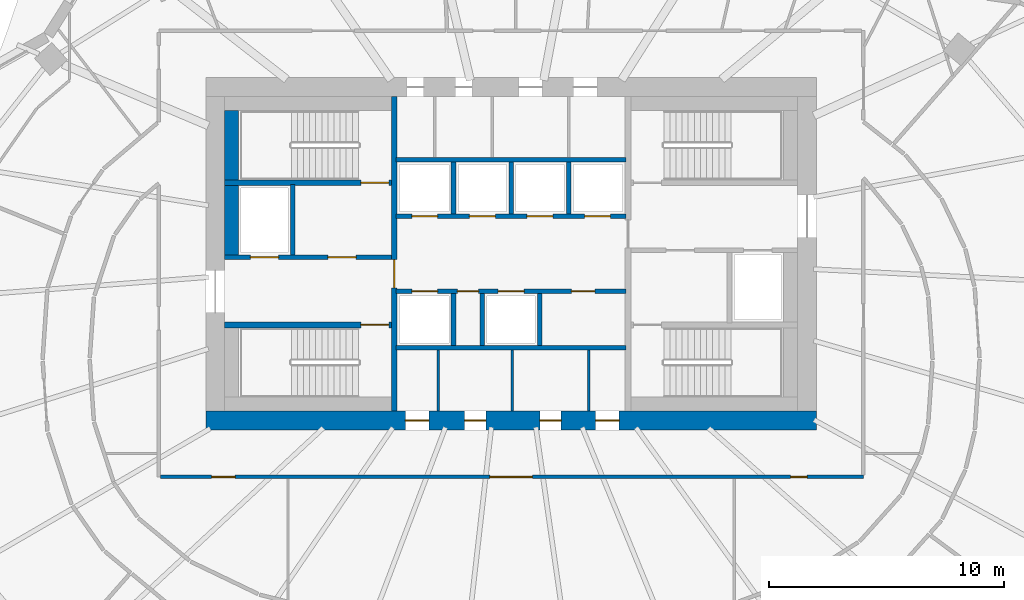
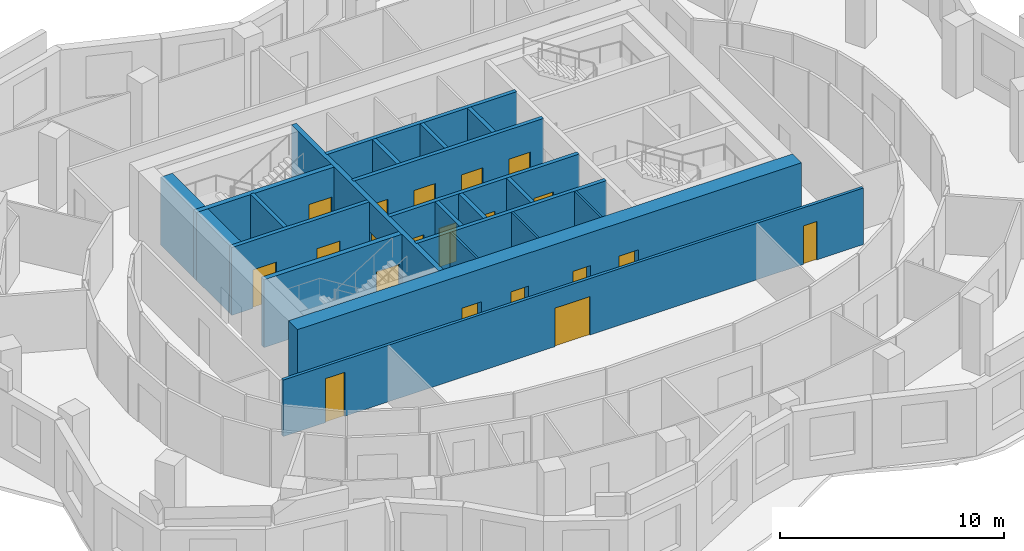
# One storey, part 5 of 11: 22 walls, 20 doors, 20 openings.
"""IFC4 building model written with IfcOpenShell, lengths in metres."""

import ifcopenshell
import ifcopenshell.guid

model = None  # the IFC model being written
_history = None  # IfcOwnerHistory: only IFC2X3 demands one
_inside = {}  # id of a spatial element -> (the spatial element, [elements in it])
_under = {}  # id of a project, library or spatial element -> (it, [spatial elements below it])
_declared = {}  # id of a project -> (the project, [libraries it declares])
_typed = {}  # id of a type object -> (the type object, [elements of that type])
_made_of = {}  # id of a material, layer set ... -> (it, [elements and type objects made of it])


def new_model(schema):
    """Start an empty IFC model of exactly this schema.

    Asked for "IFC4X3", IfcOpenShell would pick the latest addendum, in which some entities
    have other attributes; the version numbers below select the first issue.
    IFC2X3 requires an IfcOwnerHistory on every rooted entity: one is made here for all.
    """
    global model, _history
    if schema == "IFC4X3":
        model = ifcopenshell.file(schema_version=(4, 3, 0, 0))
    else:
        model = ifcopenshell.file(schema=schema)
    _inside.clear()
    _under.clear()
    _declared.clear()
    _typed.clear()
    _made_of.clear()
    _history = None
    if model.schema == "IFC2X3":
        org = make("IfcOrganization", Name="unknown")
        user = make(
            "IfcPersonAndOrganization",
            ThePerson=make("IfcPerson", FamilyName="unknown"),
            TheOrganization=org,
        )
        app = make(
            "IfcApplication",
            ApplicationDeveloper=org,
            Version="unknown",
            ApplicationFullName="unknown",
            ApplicationIdentifier="unknown",
        )
        _history = make(
            "IfcOwnerHistory",
            OwningUser=user,
            OwningApplication=app,
            ChangeAction="ADDED",
            CreationDate=0,
        )
    return model


def make(cls, **values):
    """One entity of the class cls with the attributes given. An attribute that is None is left unset."""
    return model.create_entity(
        cls, **{name: value for name, value in values.items() if value is not None}
    )


def rooted(cls, **values):
    """An entity with a GlobalId (a new one), such as an element, a storey or a relation."""
    return make(cls, GlobalId=ifcopenshell.guid.new(), OwnerHistory=_history, **values)


def si_unit(unit_type, name, prefix=None):
    """IfcSIUnit, for example si_unit("LENGTHUNIT", "METRE", prefix="MILLI")."""
    return make("IfcSIUnit", UnitType=unit_type, Prefix=prefix, Name=name)


def assignment(units):
    """IfcUnitAssignment: the units of a project."""
    return None if units is None else make("IfcUnitAssignment", Units=units)


def point(xyz):
    """IfcCartesianPoint."""
    return None if xyz is None else make("IfcCartesianPoint", Coordinates=xyz)


def direction(xyz):
    """IfcDirection."""
    return None if xyz is None else make("IfcDirection", DirectionRatios=xyz)


def frame(location, z_axis=None, x_axis=None):
    """IfcAxis2Placement3D, a coordinate frame: its origin and axes. An axis left out is left unset."""
    return make(
        "IfcAxis2Placement3D",
        Location=point(location),
        Axis=direction(z_axis),
        RefDirection=direction(x_axis),
    )


def frame_2d(location, x_axis=None):
    """IfcAxis2Placement2D, a coordinate frame in the plane: its origin and x axis."""
    return make(
        "IfcAxis2Placement2D", Location=point(location), RefDirection=direction(x_axis)
    )


def origin():
    """The frame at (0, 0, 0) with its axes left unset."""
    return frame((0.0, 0.0, 0.0))


def place(relative_to, where):
    """IfcLocalPlacement: puts the frame where relative to a parent placement (None: the world)."""
    return make(
        "IfcLocalPlacement", PlacementRelTo=relative_to, RelativePlacement=where
    )


def context(
    kind, dimensions, precision=None, world=None, true_north=None, identifier=None
):
    """IfcGeometricRepresentationContext, for example the 3D "Model" context."""
    return make(
        "IfcGeometricRepresentationContext",
        ContextIdentifier=identifier,
        ContextType=kind,
        CoordinateSpaceDimension=dimensions,
        Precision=precision,
        WorldCoordinateSystem=world,
        TrueNorth=true_north,
    )


def subcontext(parent, identifier, kind, view, scale=None):
    """IfcGeometricRepresentationSubContext, for example "Body" below "Model"."""
    return make(
        "IfcGeometricRepresentationSubContext",
        ContextIdentifier=identifier,
        ContextType=kind,
        ParentContext=parent,
        TargetScale=scale,
        TargetView=view,
    )


def project(units=None, contexts=None):
    """IfcProject with its units and contexts."""
    return rooted(
        "IfcProject",
        Name="project",
        RepresentationContexts=contexts,
        UnitsInContext=assignment(units),
    )


def spatial(cls, under=None, at=None, **own):
    """A site, building, storey or space (cls), placed at a placement, below another one or the project."""
    s = rooted(cls, ObjectPlacement=at, **own)
    if under is not None:
        _under.setdefault(under.id(), (under, []))[1].append(s)
    return s


def profile(cls, at=None, kind="AREA", **sizes):
    """A parametric profile (cls). Its sizes go by their IFC names, for example OverallWidth=200.0."""
    return make(cls, ProfileType=kind, Position=at, **sizes)


def rectangle(**sizes):
    """IfcRectangleProfileDef."""
    return profile("IfcRectangleProfileDef", **sizes)


def extrude(swept, where, along, depth):
    """IfcExtrudedAreaSolid: the profile swept, set in the frame where, extruded along a direction by depth."""
    return make(
        "IfcExtrudedAreaSolid",
        SweptArea=swept,
        Position=where,
        ExtrudedDirection=direction(along),
        Depth=depth,
    )


def shape(context_of_items, identifier, shape_type, items):
    """IfcShapeRepresentation: the items that make up one representation, for example the "Body"."""
    return make(
        "IfcShapeRepresentation",
        ContextOfItems=context_of_items,
        RepresentationIdentifier=identifier,
        RepresentationType=shape_type,
        Items=items,
    )


def material(Name=None, Category=None):
    """IfcMaterial."""
    return make("IfcMaterial", Name=Name, Category=Category)


def layer(
    of_material, thickness, ventilated=None, Name=None, Category=None, Priority=None
):
    """IfcMaterialLayer: one layer of a wall or slab, of a material (None: an air gap)."""
    return make(
        "IfcMaterialLayer",
        Material=of_material,
        LayerThickness=thickness,
        IsVentilated=ventilated,
        Name=Name,
        Category=Category,
        Priority=Priority,
    )


def layer_set(layers, Name=None):
    """IfcMaterialLayerSet."""
    return make("IfcMaterialLayerSet", MaterialLayers=layers, LayerSetName=Name)


def made_of(thing, what):
    """Note that an element or type object is made of a material, layer set ...; save() writes the relation."""
    if what is not None:
        _made_of.setdefault(what.id(), (what, []))[1].append(thing)
    return thing


def type_object(cls, material=None, **own):
    """A type object (cls), such as IfcWallType, which elements share."""
    return made_of(rooted(cls, **own), material)


def element(
    cls,
    number,
    at=None,
    inside=None,
    cuts=None,
    type_object=None,
    material=None,
    context=None,
    identifier="Body",
    shape_type=None,
    held_by="IfcProductDefinitionShape",
    body=None,
    shapes=None,
    **own,
):
    """One element of the class cls, such as IfcWall. Its Tag is "e" and its number.

    at: its placement. inside: the storey or other place that contains it. cuts: it is an
    opening in that element (IfcRelVoidsElement). A single representation is given by context,
    identifier, shape_type and body (its items); several are given by shapes. held_by: the class
    of the entity that holds the representations. save() writes the other relations.
    """
    e = rooted(cls, Tag="e%d" % number, ObjectPlacement=at, **own)
    if body is not None:
        shapes = [shape(context, identifier, shape_type, body)]
    if shapes is not None:
        e.Representation = make(held_by, Representations=shapes)
    if inside is not None:
        _inside.setdefault(inside.id(), (inside, []))[1].append(e)
    if cuts is not None:
        rooted(
            "IfcRelVoidsElement", RelatingBuildingElement=cuts, RelatedOpeningElement=e
        )
    if type_object is not None:
        _typed.setdefault(type_object.id(), (type_object, []))[1].append(e)
    return made_of(e, material)


def fill(opening, filler):
    """IfcRelFillsElement: the door or window that sits in an opening."""
    return rooted(
        "IfcRelFillsElement",
        RelatingOpeningElement=opening,
        RelatedBuildingElement=filler,
    )


def aggregate(whole, parts):
    """IfcRelAggregates: a whole, such as a stair, and the parts it consists of."""
    return rooted("IfcRelAggregates", RelatingObject=whole, RelatedObjects=parts)


def save(model, path):
    """Write the relations noted so far, then the file.

    IfcRelAggregates (storeys below a building ...), IfcRelContainedInSpatialStructure (elements
    in a storey), IfcRelDefinesByType, IfcRelAssociatesMaterial and IfcRelDeclares: one each for
    every whole, place, type object, material and project.
    """
    for whole, parts in _under.values():
        aggregate(whole, parts)
    for where, things in _inside.values():
        rooted(
            "IfcRelContainedInSpatialStructure",
            RelatedElements=things,
            RelatingStructure=where,
        )
    for kind, things in _typed.values():
        rooted("IfcRelDefinesByType", RelatedObjects=things, RelatingType=kind)
    for what, things in _made_of.values():
        rooted("IfcRelAssociatesMaterial", RelatedObjects=things, RelatingMaterial=what)
    for by, libraries in _declared.values():
        rooted("IfcRelDeclares", RelatingContext=by, RelatedDefinitions=libraries)
    model.write(path)


model = new_model("IFC4")

# Units and contexts
model_context = context("Model", 3, precision=1e-05, world=origin(), true_north=direction((0.0, 1.0)))
body_context = subcontext(model_context, "Body", "Model", "MODEL_VIEW")
ifc_project = project(units=[si_unit("LENGTHUNIT", "METRE"), si_unit("AREAUNIT", "SQUARE_METRE"), si_unit("VOLUMEUNIT", "CUBIC_METRE"), si_unit("PLANEANGLEUNIT", "RADIAN"), si_unit("MASSUNIT", "GRAM", prefix="KILO")], contexts=[model_context])

# Site, building, storey
site_placement = place(None, origin())
site = spatial("IfcSite", under=ifc_project, at=site_placement, CompositionType="ELEMENT")
building_placement = place(site_placement, origin())
building = spatial("IfcBuilding", under=site, at=building_placement, Name="Rubra Terraces Tower", CompositionType="ELEMENT")
storey_placement = place(building_placement, frame((0.0, 0.0, 237.0)))
storey = spatial("IfcBuildingStorey", under=building, at=storey_placement, Name="L58", CompositionType="ELEMENT", Elevation=237.0)

# Wall, openings, doors
ifc_material_1 = material(Name="Concrete C50", Category="concrete")
ifc_layer_1 = layer(ifc_material_1, 0.800048828125)
ifc_layer_set_1 = layer_set([ifc_layer_1], Name="Concrete C50")
wall_type_1 = type_object("IfcWallType", Name="CORE WALL 800 C50", PredefinedType="SHEAR", material=ifc_layer_set_1)
wall_1_placement = place(storey_placement, frame((-13.0, -2.60009765625, 0.0), z_axis=(0.0, 0.0, 1.0), x_axis=(1.0, 0.0, 0.0)))
wall_1 = element("IfcWall", 1, at=wall_1_placement, inside=storey, type_object=wall_type_1, Name="CORE WALL S L58", PredefinedType="SHEAR", context=body_context, shape_type="SweptSolid", body=[
    extrude(rectangle(XDim=26.0, YDim=0.800048828125, at=frame_2d((13.0, 0.0))), origin(), (0.0, 0.0, 1.0), 3.89990234375),
])
opening_1_placement = place(wall_1_placement, frame((8.5, 0.0, 0.0)))
opening_1 = element("IfcOpeningElement", 2, at=opening_1_placement, cuts=wall_1, Name="Opening L58.C21", PredefinedType="OPENING", context=body_context, shape_type="SweptSolid", body=[
    extrude(rectangle(XDim=1.0, YDim=2.10009765625, at=frame_2d((0.5, 1.050048828125))), frame((0.0, 0.409912109375, 0.0), z_axis=(0.0, -1.0, 0.0), x_axis=(1.0, 0.0, 0.0)), (0.0, 0.0, 1.0), 0.820068359375),
])
opening_2_placement = place(wall_1_placement, frame((11.02490234375, 0.0, 0.0)))
opening_2 = element("IfcOpeningElement", 3, at=opening_2_placement, cuts=wall_1, Name="Opening L58.C22", PredefinedType="OPENING", context=body_context, shape_type="SweptSolid", body=[
    extrude(rectangle(XDim=0.89990234375, YDim=2.10009765625, at=frame_2d((0.449951171875, 1.050048828125))), frame((0.0, 0.409912109375, 0.0), z_axis=(0.0, -1.0, 0.0), x_axis=(1.0, 0.0, 0.0)), (0.0, 0.0, 1.0), 0.820068359375),
])
opening_3_placement = place(wall_1_placement, frame((14.22509765625, 0.0, 0.0)))
opening_3 = element("IfcOpeningElement", 4, at=opening_3_placement, cuts=wall_1, Name="Opening L58.C23", PredefinedType="OPENING", context=body_context, shape_type="SweptSolid", body=[
    extrude(rectangle(XDim=0.89990234375, YDim=2.10009765625, at=frame_2d((0.449951171875, 1.050048828125))), frame((0.0, 0.409912109375, 0.0), z_axis=(0.0, -1.0, 0.0), x_axis=(1.0, 0.0, 0.0)), (0.0, 0.0, 1.0), 0.820068359375),
])
opening_4_placement = place(wall_1_placement, frame((16.60009765625, 0.0, 0.0)))
opening_4 = element("IfcOpeningElement", 5, at=opening_4_placement, cuts=wall_1, Name="Opening L58.C24", PredefinedType="OPENING", context=body_context, shape_type="SweptSolid", body=[
    extrude(rectangle(XDim=1.0, YDim=2.10009765625, at=frame_2d((0.5, 1.050048828125))), frame((0.0, 0.409912109375, 0.0), z_axis=(0.0, -1.0, 0.0), x_axis=(1.0, 0.0, 0.0)), (0.0, 0.0, 1.0), 0.820068359375),
])
ifc_material_2 = material(Name="Painted steel", Category="steel")
door_type_1 = type_object("IfcDoorType", Name="Fire door 1000x2100 single", OperationType="NOTDEFINED", PredefinedType="DOOR", material=ifc_material_2)
door_1_placement = place(opening_1_placement, origin())
door_1 = element("IfcDoor", 6, at=door_1_placement, inside=storey, type_object=door_type_1, Name="Accessible WC door", OperationType="SINGLE_SWING_LEFT", OverallHeight=2.10009765625, OverallWidth=1.0, PredefinedType="DOOR", context=body_context, shape_type="SweptSolid", body=[
    extrude(rectangle(XDim=1.0, YDim=2.10009765625, at=frame_2d((0.5, 1.050048828125))), frame((0.0, 0.02490234375, 0.0), z_axis=(0.0, -1.0, 0.0), x_axis=(1.0, 0.0, 0.0)), (0.0, 0.0, 1.0), 0.050048828125),
])
fill(opening_1, door_1)
door_2_placement = place(opening_4_placement, origin())
door_2 = element("IfcDoor", 7, at=door_2_placement, inside=storey, type_object=door_type_1, Name="General store door", OperationType="SINGLE_SWING_RIGHT", OverallHeight=2.10009765625, OverallWidth=1.0, PredefinedType="DOOR", context=body_context, shape_type="SweptSolid", body=[
    extrude(rectangle(XDim=1.0, YDim=2.10009765625, at=frame_2d((0.5, 1.050048828125))), frame((0.0, 0.02490234375, 0.0), z_axis=(0.0, -1.0, 0.0), x_axis=(1.0, 0.0, 0.0)), (0.0, 0.0, 1.0), 0.050048828125),
])
fill(opening_4, door_2)
door_type_2 = type_object("IfcDoorType", Name="Fire door 900x2100 single", OperationType="NOTDEFINED", PredefinedType="DOOR", material=ifc_material_2)
door_3_placement = place(opening_2_placement, origin())
door_3 = element("IfcDoor", 8, at=door_3_placement, inside=storey, type_object=door_type_2, Name="Ladies WC door", OperationType="SINGLE_SWING_RIGHT", OverallHeight=2.10009765625, OverallWidth=0.89990234375, PredefinedType="DOOR", context=body_context, shape_type="SweptSolid", body=[
    extrude(rectangle(XDim=0.89990234375, YDim=2.10009765625, at=frame_2d((0.449951171875, 1.050048828125))), frame((0.0, 0.02490234375, 0.0), z_axis=(0.0, -1.0, 0.0), x_axis=(1.0, 0.0, 0.0)), (0.0, 0.0, 1.0), 0.050048828125),
])
fill(opening_2, door_3)
door_4_placement = place(opening_3_placement, origin())
door_4 = element("IfcDoor", 9, at=door_4_placement, inside=storey, type_object=door_type_2, Name="Gents WC door", OperationType="SINGLE_SWING_LEFT", OverallHeight=2.10009765625, OverallWidth=0.89990234375, PredefinedType="DOOR", context=body_context, shape_type="SweptSolid", body=[
    extrude(rectangle(XDim=0.89990234375, YDim=2.10009765625, at=frame_2d((0.449951171875, 1.050048828125))), frame((0.0, 0.02490234375, 0.0), z_axis=(0.0, -1.0, 0.0), x_axis=(1.0, 0.0, 0.0)), (0.0, 0.0, 1.0), 0.050048828125),
])
fill(opening_3, door_4)

ifc_material_3 = material(Name="Plasterboard on steel stud, mineral wool infill", Category="steel")
ifc_layer_2 = layer(ifc_material_3, 0.14990234375)
ifc_layer_set_2 = layer_set([ifc_layer_2], Name="Plasterboard on steel stud, mineral wool infill")
wall_type_2 = type_object("IfcWallType", Name="CORRIDOR PARTITION 150", PredefinedType="PARTITIONING", material=ifc_layer_set_2)
wall_2_placement = place(storey_placement, frame((-14.925048828125, -5.0, 0.0), z_axis=(0.0, 0.0, 1.0), x_axis=(1.0, 0.0, 0.0)))
wall_2 = element("IfcWall", 10, at=wall_2_placement, inside=storey, type_object=wall_type_2, Name="PARTITION", PredefinedType="PARTITIONING", context=body_context, shape_type="SweptSolid", body=[
    extrude(rectangle(XDim=29.925048828125, YDim=0.14990234375, at=frame_2d((14.96240234375, 0.0))), origin(), (0.0, 0.0, 1.0), 3.083984375),
])
opening_5_placement = place(wall_2_placement, frame((2.175048828125, 0.0, 0.0)))
opening_5 = element("IfcOpeningElement", 11, at=opening_5_placement, cuts=wall_2, Name="Opening 58-120", PredefinedType="OPENING", context=body_context, shape_type="SweptSolid", body=[
    extrude(rectangle(XDim=1.0, YDim=2.39990234375, at=frame_2d((0.5, 1.199951171875))), frame((0.0, 0.0849609375, 0.0), z_axis=(0.0, -1.0, 0.0), x_axis=(1.0, 0.0, 0.0)), (0.0, 0.0, 1.0), 0.169921875),
])
opening_6_placement = place(wall_2_placement, frame((14.02490234375, 0.0, 0.0)))
opening_6 = element("IfcOpeningElement", 12, at=opening_6_placement, cuts=wall_2, Name="Opening 58-121", PredefinedType="OPENING", context=body_context, shape_type="SweptSolid", body=[
    extrude(rectangle(XDim=1.800048828125, YDim=2.10009765625, at=frame_2d((0.89990234375, 1.050048828125))), frame((0.0, 0.0849609375, 0.0), z_axis=(0.0, -1.0, 0.0), x_axis=(1.0, 0.0, 0.0)), (0.0, 0.0, 1.0), 0.169921875),
])
opening_7_placement = place(wall_2_placement, frame((26.824951171875, 0.0, 0.0)))
opening_7 = element("IfcOpeningElement", 13, at=opening_7_placement, cuts=wall_2, Name="Opening 58-122", PredefinedType="OPENING", context=body_context, shape_type="SweptSolid", body=[
    extrude(rectangle(XDim=0.699951171875, YDim=2.10009765625, at=frame_2d((0.35009765625, 1.050048828125))), frame((0.0, 0.0849609375, 0.0), z_axis=(0.0, -1.0, 0.0), x_axis=(1.0, 0.0, 0.0)), (0.0, 0.0, 1.0), 0.169921875),
])
ifc_material_4 = material(Name="Glazed aluminium meeting door leaf", Category="aluminium")
door_type_3 = type_object("IfcDoorType", Name="MEETING ROOM GLAZED DOOR 1000 X 2400", OperationType="SINGLE_SWING_LEFT", PredefinedType="DOOR", material=ifc_material_4)
door_5_placement = place(opening_5_placement, origin())
door_5 = element("IfcDoor", 14, at=door_5_placement, inside=storey, type_object=door_type_3, Name="DOOR 58-120", OperationType="SINGLE_SWING_RIGHT", OverallHeight=2.39990234375, OverallWidth=1.0, PredefinedType="DOOR", context=body_context, shape_type="SweptSolid", body=[
    extrude(rectangle(XDim=1.0, YDim=2.39990234375, at=frame_2d((0.5, 1.199951171875))), frame((0.0, 0.02490234375, 0.0), z_axis=(0.0, -1.0, 0.0), x_axis=(1.0, 0.0, 0.0)), (0.0, 0.0, 1.0), 0.050048828125),
])
fill(opening_5, door_5)
ifc_material_5 = material(Name="Painted timber door leaf, double", Category="wood")
door_type_4 = type_object("IfcDoorType", Name="ROOM DOUBLE DOOR 1800 X 2100", OperationType="DOUBLE_DOOR_SINGLE_SWING", PredefinedType="DOOR", material=ifc_material_5)
door_6_placement = place(opening_6_placement, origin())
door_6 = element("IfcDoor", 15, at=door_6_placement, inside=storey, type_object=door_type_4, Name="DOOR 58-121", OperationType="DOUBLE_DOOR_SINGLE_SWING", OverallHeight=2.10009765625, OverallWidth=1.800048828125, PredefinedType="DOOR", context=body_context, shape_type="SweptSolid", body=[
    extrude(rectangle(XDim=1.800048828125, YDim=2.10009765625, at=frame_2d((0.89990234375, 1.050048828125))), frame((0.0, 0.02490234375, 0.0), z_axis=(0.0, -1.0, 0.0), x_axis=(1.0, 0.0, 0.0)), (0.0, 0.0, 1.0), 0.050048828125),
])
fill(opening_6, door_6)
ifc_material_6 = material(Name="Painted timber door leaf", Category="wood")
door_type_5 = type_object("IfcDoorType", Name="STORE DOOR 700 X 2100", OperationType="SINGLE_SWING_LEFT", PredefinedType="DOOR", material=ifc_material_6)
door_7_placement = place(opening_7_placement, origin())
door_7 = element("IfcDoor", 16, at=door_7_placement, inside=storey, type_object=door_type_5, Name="DOOR 58-122", OperationType="SINGLE_SWING_RIGHT", OverallHeight=2.10009765625, OverallWidth=0.699951171875, PredefinedType="DOOR", context=body_context, shape_type="SweptSolid", body=[
    extrude(rectangle(XDim=0.699951171875, YDim=2.10009765625, at=frame_2d((0.35009765625, 1.050048828125))), frame((0.0, 0.02490234375, 0.0), z_axis=(0.0, -1.0, 0.0), x_axis=(1.0, 0.0, 0.0)), (0.0, 0.0, 1.0), 0.050048828125),
])
fill(opening_7, door_7)

# Walls
ifc_material_7 = material(Name="Concrete C40", Category="concrete")
ifc_layer_3 = layer(ifc_material_7, 0.60009765625)
ifc_layer_set_3 = layer_set([ifc_layer_3], Name="Concrete C40")
wall_type_3 = type_object("IfcWallType", Name="Core lining wall 600 concrete", PredefinedType="SOLIDWALL", material=ifc_layer_set_3)
wall_3_placement = place(storey_placement, frame((-11.89990234375, 4.449951171875, 0.0), z_axis=(0.0, 0.0, 1.0), x_axis=(0.0, 1.0, 0.0)))
element("IfcWall", 17, at=wall_3_placement, inside=storey, type_object=wall_type_3, Name="CORE LINING WALL L58", PredefinedType="SOLIDWALL", context=body_context, shape_type="SweptSolid", body=[
    extrude(rectangle(XDim=3.0, YDim=0.60009765625, at=frame_2d((1.5, 0.0))), origin(), (0.0, 0.0, 1.0), 3.699951171875),
])
wall_4_placement = place(storey_placement, frame((-11.89990234375, 7.64990234375, 0.0), z_axis=(0.0, 0.0, 1.0), x_axis=(0.0, 1.0, 0.0)))
element("IfcWall", 18, at=wall_4_placement, inside=storey, type_object=wall_type_3, Name="CORE LINING WALL L58", PredefinedType="SOLIDWALL", context=body_context, shape_type="SweptSolid", body=[
    extrude(rectangle(XDim=2.9501953125, YDim=0.60009765625, at=frame_2d((1.47509765625, 0.0))), origin(), (0.0, 0.0, 1.0), 3.699951171875),
])

# Wall, openings, doors
ifc_material_8 = material(Name="Concrete C30", Category="concrete")
ifc_layer_4 = layer(ifc_material_8, 0.199951171875)
ifc_layer_set_4 = layer_set([ifc_layer_4], Name="Concrete C30")
wall_type_4 = type_object("IfcWallType", Name="Core wall 200 concrete", PredefinedType="SOLIDWALL", material=ifc_layer_set_4)
wall_5_placement = place(storey_placement, frame((-12.199951171875, 4.35009765625, 0.0), z_axis=(0.0, 0.0, 1.0), x_axis=(1.0, 0.0, 0.0)))
wall_5 = element("IfcWall", 19, at=wall_5_placement, inside=storey, type_object=wall_type_4, Name="STAIR WALL L58", PredefinedType="SOLIDWALL", context=body_context, shape_type="SweptSolid", body=[
    extrude(rectangle(XDim=7.099853515625, YDim=0.199951171875, at=frame_2d((3.5498046875, 0.0))), origin(), (0.0, 0.0, 1.0), 3.699951171875),
])
opening_8_placement = place(wall_5_placement, frame((4.39990234375, 0.0, 0.0)))
opening_8 = element("IfcOpeningElement", 20, at=opening_8_placement, cuts=wall_5, Name="Opening L58.C05", PredefinedType="OPENING", context=body_context, shape_type="SweptSolid", body=[
    extrude(rectangle(XDim=1.199951171875, YDim=2.10009765625, at=frame_2d((0.60009765625, 1.050048828125))), frame((0.0, 0.10986328125, 0.0), z_axis=(0.0, -1.0, 0.0), x_axis=(1.0, 0.0, 0.0)), (0.0, 0.0, 1.0), 0.219970703125),
])
opening_9_placement = place(wall_5_placement, frame((1.10009765625, 0.0, 0.0)))
opening_9 = element("IfcOpeningElement", 21, at=opening_9_placement, cuts=wall_5, Name="Opening L58.C11", PredefinedType="OPENING", context=body_context, shape_type="SweptSolid", body=[
    extrude(rectangle(XDim=1.199951171875, YDim=2.10009765625, at=frame_2d((0.60009765625, 1.050048828125))), frame((0.0, 0.10986328125, 0.0), z_axis=(0.0, -1.0, 0.0), x_axis=(1.0, 0.0, 0.0)), (0.0, 0.0, 1.0), 0.219970703125),
])
door_type_6 = type_object("IfcDoorType", Name="Fire door 1200x2100 single", OperationType="NOTDEFINED", PredefinedType="DOOR", material=ifc_material_2)
door_8_placement = place(opening_8_placement, origin())
door_8 = element("IfcDoor", 22, at=door_8_placement, inside=storey, type_object=door_type_6, Name="Stair vestibule door S2", OperationType="SINGLE_SWING_LEFT", OverallHeight=2.10009765625, OverallWidth=1.199951171875, PredefinedType="DOOR", context=body_context, shape_type="SweptSolid", body=[
    extrude(rectangle(XDim=1.199951171875, YDim=2.10009765625, at=frame_2d((0.60009765625, 1.050048828125))), frame((0.0, 0.02490234375, 0.0), z_axis=(0.0, -1.0, 0.0), x_axis=(1.0, 0.0, 0.0)), (0.0, 0.0, 1.0), 0.050048828125),
])
fill(opening_8, door_8)
ifc_material_9 = material(Name="Stainless steel", Category="steel")
door_type_7 = type_object("IfcDoorType", Name="Lift landing door 1200x2100", OperationType="NOTDEFINED", PredefinedType="DOOR", material=ifc_material_9)
door_9_placement = place(opening_9_placement, origin())
door_9 = element("IfcDoor", 23, at=door_9_placement, inside=storey, type_object=door_type_7, Name="Landing door FF1", OperationType="SLIDING_TO_RIGHT", OverallHeight=2.10009765625, OverallWidth=1.199951171875, PredefinedType="DOOR", context=body_context, shape_type="SweptSolid", body=[
    extrude(rectangle(XDim=1.199951171875, YDim=2.10009765625, at=frame_2d((0.60009765625, 1.050048828125))), frame((0.0, 0.02490234375, 0.0), z_axis=(0.0, -1.0, 0.0), x_axis=(1.0, 0.0, 0.0)), (0.0, 0.0, 1.0), 0.050048828125),
])
fill(opening_9, door_9)

# Walls
wall_6_placement = place(storey_placement, frame((-9.300048828125, 4.449951171875, 0.0), z_axis=(0.0, 0.0, 1.0), x_axis=(0.0, 1.0, 0.0)))
element("IfcWall", 24, at=wall_6_placement, inside=storey, type_object=wall_type_4, Name="STAIR WALL L58", PredefinedType="SOLIDWALL", context=body_context, shape_type="SweptSolid", body=[
    extrude(rectangle(XDim=3.0, YDim=0.199951171875, at=frame_2d((1.5, 0.0))), origin(), (0.0, 0.0, 1.0), 3.699951171875),
])
wall_7_placement = place(storey_placement, frame((-4.89990234375, 0.5, 0.0), z_axis=(0.0, 0.0, 1.0), x_axis=(1.0, 0.0, 0.0)))
element("IfcWall", 25, at=wall_7_placement, inside=storey, type_object=wall_type_4, Name="LIFT SHAFT WALL L58", PredefinedType="SOLIDWALL", context=body_context, shape_type="SweptSolid", body=[
    extrude(rectangle(XDim=9.7998046875, YDim=0.199951171875, at=frame_2d((4.89990234375, 0.0))), origin(), (0.0, 0.0, 1.0), 3.699951171875),
])

# Wall, openings, doors
wall_8_placement = place(storey_placement, frame((-4.89990234375, 2.89990234375, 0.0), z_axis=(0.0, 0.0, 1.0), x_axis=(1.0, 0.0, 0.0)))
wall_8 = element("IfcWall", 26, at=wall_8_placement, inside=storey, type_object=wall_type_4, Name="LIFT SHAFT WALL L58", PredefinedType="SOLIDWALL", context=body_context, shape_type="SweptSolid", body=[
    extrude(rectangle(XDim=9.7998046875, YDim=0.199951171875, at=frame_2d((4.89990234375, 0.0))), origin(), (0.0, 0.0, 1.0), 3.699951171875),
])
opening_10_placement = place(wall_8_placement, frame((0.675048828125, 0.0, 0.0)))
opening_10 = element("IfcOpeningElement", 27, at=opening_10_placement, cuts=wall_8, Name="Opening L58.C13", PredefinedType="OPENING", context=body_context, shape_type="SweptSolid", body=[
    extrude(rectangle(XDim=1.10009765625, YDim=2.10009765625, at=frame_2d((0.550048828125, 1.050048828125))), frame((0.0, 0.10986328125, 0.0), z_axis=(0.0, -1.0, 0.0), x_axis=(1.0, 0.0, 0.0)), (0.0, 0.0, 1.0), 0.219970703125),
])
opening_11_placement = place(wall_8_placement, frame((2.613037109375, 0.0, 0.0)))
opening_11 = element("IfcOpeningElement", 28, at=opening_11_placement, cuts=wall_8, Name="Opening L58.C14", PredefinedType="OPENING", context=body_context, shape_type="SweptSolid", body=[
    extrude(rectangle(XDim=0.89990234375, YDim=2.10009765625, at=frame_2d((0.449951171875, 1.050048828125))), frame((0.0, 0.10986328125, 0.0), z_axis=(0.0, -1.0, 0.0), x_axis=(1.0, 0.0, 0.0)), (0.0, 0.0, 1.0), 0.219970703125),
])
opening_12_placement = place(wall_8_placement, frame((4.35009765625, 0.0, 0.0)))
opening_12 = element("IfcOpeningElement", 29, at=opening_12_placement, cuts=wall_8, Name="Opening L58.C15", PredefinedType="OPENING", context=body_context, shape_type="SweptSolid", body=[
    extrude(rectangle(XDim=1.10009765625, YDim=2.10009765625, at=frame_2d((0.550048828125, 1.050048828125))), frame((0.0, 0.10986328125, 0.0), z_axis=(0.0, -1.0, 0.0), x_axis=(1.0, 0.0, 0.0)), (0.0, 0.0, 1.0), 0.219970703125),
])
opening_13_placement = place(wall_8_placement, frame((7.462890625, 0.0, 0.0)))
opening_13 = element("IfcOpeningElement", 30, at=opening_13_placement, cuts=wall_8, Name="Opening L58.C16", PredefinedType="OPENING", context=body_context, shape_type="SweptSolid", body=[
    extrude(rectangle(XDim=1.0, YDim=2.10009765625, at=frame_2d((0.5, 1.050048828125))), frame((0.0, 0.10986328125, 0.0), z_axis=(0.0, -1.0, 0.0), x_axis=(1.0, 0.0, 0.0)), (0.0, 0.0, 1.0), 0.219970703125),
])
door_10_placement = place(opening_13_placement, origin())
door_10 = element("IfcDoor", 31, at=door_10_placement, inside=storey, type_object=door_type_1, Name="Ice and vending room door", OperationType="SINGLE_SWING_RIGHT", OverallHeight=2.10009765625, OverallWidth=1.0, PredefinedType="DOOR", context=body_context, shape_type="SweptSolid", body=[
    extrude(rectangle(XDim=1.0, YDim=2.10009765625, at=frame_2d((0.5, 1.050048828125))), frame((0.0, 0.02490234375, 0.0), z_axis=(0.0, -1.0, 0.0), x_axis=(1.0, 0.0, 0.0)), (0.0, 0.0, 1.0), 0.050048828125),
])
fill(opening_13, door_10)
door_11_placement = place(opening_11_placement, origin())
door_11 = element("IfcDoor", 32, at=door_11_placement, inside=storey, type_object=door_type_2, Name="Cleaner's store door", OperationType="SINGLE_SWING_RIGHT", OverallHeight=2.10009765625, OverallWidth=0.89990234375, PredefinedType="DOOR", context=body_context, shape_type="SweptSolid", body=[
    extrude(rectangle(XDim=0.89990234375, YDim=2.10009765625, at=frame_2d((0.449951171875, 1.050048828125))), frame((0.0, 0.02490234375, 0.0), z_axis=(0.0, -1.0, 0.0), x_axis=(1.0, 0.0, 0.0)), (0.0, 0.0, 1.0), 0.050048828125),
])
fill(opening_11, door_11)
door_type_8 = type_object("IfcDoorType", Name="Lift landing door 1100x2100", OperationType="NOTDEFINED", PredefinedType="DOOR", material=ifc_material_9)
door_12_placement = place(opening_10_placement, origin())
door_12 = element("IfcDoor", 33, at=door_12_placement, inside=storey, type_object=door_type_8, Name="Landing door HB1", OperationType="SLIDING_TO_RIGHT", OverallHeight=2.10009765625, OverallWidth=1.10009765625, PredefinedType="DOOR", context=body_context, shape_type="SweptSolid", body=[
    extrude(rectangle(XDim=1.10009765625, YDim=2.10009765625, at=frame_2d((0.550048828125, 1.050048828125))), frame((0.0, 0.02490234375, 0.0), z_axis=(0.0, -1.0, 0.0), x_axis=(1.0, 0.0, 0.0)), (0.0, 0.0, 1.0), 0.050048828125),
])
fill(opening_10, door_12)
door_13_placement = place(opening_12_placement, origin())
door_13 = element("IfcDoor", 34, at=door_13_placement, inside=storey, type_object=door_type_8, Name="Landing door HB2", OperationType="SLIDING_TO_LEFT", OverallHeight=2.10009765625, OverallWidth=1.10009765625, PredefinedType="DOOR", context=body_context, shape_type="SweptSolid", body=[
    extrude(rectangle(XDim=1.10009765625, YDim=2.10009765625, at=frame_2d((0.550048828125, 1.050048828125))), frame((0.0, 0.02490234375, 0.0), z_axis=(0.0, -1.0, 0.0), x_axis=(1.0, 0.0, 0.0)), (0.0, 0.0, 1.0), 0.050048828125),
])
fill(opening_12, door_13)

wall_9_placement = place(storey_placement, frame((-4.89990234375, 6.10009765625, 0.0), z_axis=(0.0, 0.0, 1.0), x_axis=(1.0, 0.0, 0.0)))
wall_9 = element("IfcWall", 35, at=wall_9_placement, inside=storey, type_object=wall_type_4, Name="LIFT SHAFT WALL L58", PredefinedType="SOLIDWALL", context=body_context, shape_type="SweptSolid", body=[
    extrude(rectangle(XDim=9.7998046875, YDim=0.199951171875, at=frame_2d((4.89990234375, 0.0))), origin(), (0.0, 0.0, 1.0), 3.699951171875),
])
opening_14_placement = place(wall_9_placement, frame((0.675048828125, 0.0, 0.0)))
opening_14 = element("IfcOpeningElement", 36, at=opening_14_placement, cuts=wall_9, Name="Opening L58.C17", PredefinedType="OPENING", context=body_context, shape_type="SweptSolid", body=[
    extrude(rectangle(XDim=1.10009765625, YDim=2.10009765625, at=frame_2d((0.550048828125, 1.050048828125))), frame((0.0, 0.10986328125, 0.0), z_axis=(0.0, -1.0, 0.0), x_axis=(1.0, 0.0, 0.0)), (0.0, 0.0, 1.0), 0.219970703125),
])
opening_15_placement = place(wall_9_placement, frame((3.125, 0.0, 0.0)))
opening_15 = element("IfcOpeningElement", 37, at=opening_15_placement, cuts=wall_9, Name="Opening L58.C18", PredefinedType="OPENING", context=body_context, shape_type="SweptSolid", body=[
    extrude(rectangle(XDim=1.10009765625, YDim=2.10009765625, at=frame_2d((0.550048828125, 1.050048828125))), frame((0.0, 0.10986328125, 0.0), z_axis=(0.0, -1.0, 0.0), x_axis=(1.0, 0.0, 0.0)), (0.0, 0.0, 1.0), 0.219970703125),
])
opening_16_placement = place(wall_9_placement, frame((5.574951171875, 0.0, 0.0)))
opening_16 = element("IfcOpeningElement", 38, at=opening_16_placement, cuts=wall_9, Name="Opening L58.C19", PredefinedType="OPENING", context=body_context, shape_type="SweptSolid", body=[
    extrude(rectangle(XDim=1.10009765625, YDim=2.10009765625, at=frame_2d((0.550048828125, 1.050048828125))), frame((0.0, 0.10986328125, 0.0), z_axis=(0.0, -1.0, 0.0), x_axis=(1.0, 0.0, 0.0)), (0.0, 0.0, 1.0), 0.219970703125),
])
opening_17_placement = place(wall_9_placement, frame((8.02490234375, 0.0, 0.0)))
opening_17 = element("IfcOpeningElement", 39, at=opening_17_placement, cuts=wall_9, Name="Opening L58.C20", PredefinedType="OPENING", context=body_context, shape_type="SweptSolid", body=[
    extrude(rectangle(XDim=1.10009765625, YDim=2.10009765625, at=frame_2d((0.550048828125, 1.050048828125))), frame((0.0, 0.10986328125, 0.0), z_axis=(0.0, -1.0, 0.0), x_axis=(1.0, 0.0, 0.0)), (0.0, 0.0, 1.0), 0.219970703125),
])
door_14_placement = place(opening_14_placement, origin())
door_14 = element("IfcDoor", 40, at=door_14_placement, inside=storey, type_object=door_type_8, Name="Landing door HB3", OperationType="SLIDING_TO_RIGHT", OverallHeight=2.10009765625, OverallWidth=1.10009765625, PredefinedType="DOOR", context=body_context, shape_type="SweptSolid", body=[
    extrude(rectangle(XDim=1.10009765625, YDim=2.10009765625, at=frame_2d((0.550048828125, 1.050048828125))), frame((0.0, 0.02490234375, 0.0), z_axis=(0.0, -1.0, 0.0), x_axis=(1.0, 0.0, 0.0)), (0.0, 0.0, 1.0), 0.050048828125),
])
fill(opening_14, door_14)
door_15_placement = place(opening_15_placement, origin())
door_15 = element("IfcDoor", 41, at=door_15_placement, inside=storey, type_object=door_type_8, Name="Landing door HB4", OperationType="SLIDING_TO_LEFT", OverallHeight=2.10009765625, OverallWidth=1.10009765625, PredefinedType="DOOR", context=body_context, shape_type="SweptSolid", body=[
    extrude(rectangle(XDim=1.10009765625, YDim=2.10009765625, at=frame_2d((0.550048828125, 1.050048828125))), frame((0.0, 0.02490234375, 0.0), z_axis=(0.0, -1.0, 0.0), x_axis=(1.0, 0.0, 0.0)), (0.0, 0.0, 1.0), 0.050048828125),
])
fill(opening_15, door_15)
door_16_placement = place(opening_16_placement, origin())
door_16 = element("IfcDoor", 42, at=door_16_placement, inside=storey, type_object=door_type_8, Name="Landing door HB5", OperationType="SLIDING_TO_RIGHT", OverallHeight=2.10009765625, OverallWidth=1.10009765625, PredefinedType="DOOR", context=body_context, shape_type="SweptSolid", body=[
    extrude(rectangle(XDim=1.10009765625, YDim=2.10009765625, at=frame_2d((0.550048828125, 1.050048828125))), frame((0.0, 0.02490234375, 0.0), z_axis=(0.0, -1.0, 0.0), x_axis=(1.0, 0.0, 0.0)), (0.0, 0.0, 1.0), 0.050048828125),
])
fill(opening_16, door_16)
door_17_placement = place(opening_17_placement, origin())
door_17 = element("IfcDoor", 43, at=door_17_placement, inside=storey, type_object=door_type_8, Name="Landing door HB6", OperationType="SLIDING_TO_LEFT", OverallHeight=2.10009765625, OverallWidth=1.10009765625, PredefinedType="DOOR", context=body_context, shape_type="SweptSolid", body=[
    extrude(rectangle(XDim=1.10009765625, YDim=2.10009765625, at=frame_2d((0.550048828125, 1.050048828125))), frame((0.0, 0.02490234375, 0.0), z_axis=(0.0, -1.0, 0.0), x_axis=(1.0, 0.0, 0.0)), (0.0, 0.0, 1.0), 0.050048828125),
])
fill(opening_17, door_17)

# Walls
wall_10_placement = place(storey_placement, frame((-4.89990234375, 8.5, 0.0), z_axis=(0.0, 0.0, 1.0), x_axis=(1.0, 0.0, 0.0)))
element("IfcWall", 44, at=wall_10_placement, inside=storey, type_object=wall_type_4, Name="LIFT SHAFT WALL L58", PredefinedType="SOLIDWALL", context=body_context, shape_type="SweptSolid", body=[
    extrude(rectangle(XDim=9.7998046875, YDim=0.199951171875, at=frame_2d((4.89990234375, 0.0))), origin(), (0.0, 0.0, 1.0), 3.699951171875),
])
for number, where, z_axis, x_axis, name in (
    (45, (-2.449951171875, 0.60009765625, 0.0), (0.0, 0.0, 1.0), (0.0, 1.0, 0.0), "LIFT SHAFT WALL L58"),
    (46, (-1.22509765625, 0.60009765625, 0.0), (0.0, 0.0, 1.0), (0.0, 1.0, 0.0), "LIFT SHAFT WALL L58"),
    (47, (1.22509765625, 0.60009765625, 0.0), (0.0, 0.0, 1.0), (0.0, 1.0, 0.0), "LIFT SHAFT WALL L58"),
    (48, (-2.449951171875, 6.199951171875, 0.0), (0.0, 0.0, 1.0), (0.0, 1.0, 0.0), "LIFT SHAFT WALL L58"),
    (49, (0.0, 6.199951171875, 0.0), (0.0, 0.0, 1.0), (0.0, 1.0, 0.0), "LIFT SHAFT WALL L58"),
    (50, (2.449951171875, 6.199951171875, 0.0), (0.0, 0.0, 1.0), (0.0, 1.0, 0.0), "LIFT SHAFT WALL L58"),
):
    element("IfcWall", number, at=place(storey_placement, frame(where, z_axis=z_axis, x_axis=x_axis)), inside=storey, type_object=wall_type_4, Name=name, PredefinedType="SOLIDWALL", context=body_context, shape_type="SweptSolid", body=[
        extrude(rectangle(XDim=2.199951171875, YDim=0.199951171875, at=frame_2d((1.10009765625, 0.0))), origin(), (0.0, 0.0, 1.0), 3.699951171875),
    ])
ifc_material_10 = material(Name="Blockwork", Category="masonry")
ifc_layer_5 = layer(ifc_material_10, 0.10009765625)
ifc_layer_set_5 = layer_set([ifc_layer_5], Name="Blockwork")
wall_type_5 = type_object("IfcWallType", Name="Service partition 100 blockwork", PredefinedType="PARTITIONING", material=ifc_layer_set_5)
for number, where, z_axis, x_axis, name in (
    (51, (-3.10009765625, -2.199951171875, 0.0), (0.0, 0.0, 1.0), (0.0, 1.0, 0.0), "SERVICE ROOM PARTITION L58"),
    (52, (0.050048828125, -2.199951171875, 0.0), (0.0, 0.0, 1.0), (0.0, 1.0, 0.0), "SERVICE ROOM PARTITION L58"),
    (53, (3.300048828125, -2.199951171875, 0.0), (0.0, 0.0, 1.0), (0.0, 1.0, 0.0), "SERVICE ROOM PARTITION L58"),
):
    element("IfcWall", number, at=place(storey_placement, frame(where, z_axis=z_axis, x_axis=x_axis)), inside=storey, type_object=wall_type_5, Name=name, PredefinedType="PARTITIONING", context=body_context, shape_type="SweptSolid", body=[
        extrude(rectangle(XDim=2.599853515625, YDim=0.10009765625, at=frame_2d((1.2998046875, 0.0))), origin(), (0.0, 0.0, 1.0), 3.699951171875),
    ])

# Wall, opening, door
ifc_layer_6 = layer(ifc_material_7, 0.25)
ifc_layer_set_6 = layer_set([ifc_layer_6], Name="Concrete C40")
wall_type_6 = type_object("IfcWallType", Name="Stair enclosure wall 250 concrete", PredefinedType="SOLIDWALL", material=ifc_layer_set_6)
wall_11_placement = place(storey_placement, frame((-12.199951171875, 1.47509765625, 0.0), z_axis=(0.0, 0.0, 1.0), x_axis=(1.0, 0.0, 0.0)))
wall_11 = element("IfcWall", 54, at=wall_11_placement, inside=storey, type_object=wall_type_6, Name="STAIR WALL L58", PredefinedType="SOLIDWALL", context=body_context, shape_type="SweptSolid", body=[
    extrude(rectangle(XDim=7.099853515625, YDim=0.25, at=frame_2d((3.5498046875, 0.0))), origin(), (0.0, 0.0, 1.0), 3.699951171875),
])
opening_18_placement = place(wall_11_placement, frame((5.800048828125, 0.0, 0.0)))
opening_18 = element("IfcOpeningElement", 55, at=opening_18_placement, cuts=wall_11, Name="Opening L58.C07", PredefinedType="OPENING", context=body_context, shape_type="SweptSolid", body=[
    extrude(rectangle(XDim=1.199951171875, YDim=2.10009765625, at=frame_2d((0.60009765625, 1.050048828125))), frame((0.0, 0.135009765625, 0.0), z_axis=(0.0, -1.0, 0.0), x_axis=(1.0, 0.0, 0.0)), (0.0, 0.0, 1.0), 0.27001953125),
])
door_18_placement = place(opening_18_placement, origin())
door_18 = element("IfcDoor", 56, at=door_18_placement, inside=storey, type_object=door_type_6, Name="Stair door S1", OperationType="SINGLE_SWING_LEFT", OverallHeight=2.10009765625, OverallWidth=1.199951171875, PredefinedType="DOOR", context=body_context, shape_type="SweptSolid", body=[
    extrude(rectangle(XDim=1.199951171875, YDim=2.10009765625, at=frame_2d((0.60009765625, 1.050048828125))), frame((0.0, 0.02490234375, 0.0), z_axis=(0.0, -1.0, 0.0), x_axis=(1.0, 0.0, 0.0)), (0.0, 0.0, 1.0), 0.050048828125),
])
fill(opening_18, door_18)

wall_12_placement = place(storey_placement, frame((-12.199951171875, 7.52490234375, 0.0), z_axis=(0.0, 0.0, 1.0), x_axis=(1.0, 0.0, 0.0)))
wall_12 = element("IfcWall", 57, at=wall_12_placement, inside=storey, type_object=wall_type_6, Name="STAIR WALL L58", PredefinedType="SOLIDWALL", context=body_context, shape_type="SweptSolid", body=[
    extrude(rectangle(XDim=7.099853515625, YDim=0.25, at=frame_2d((3.5498046875, 0.0))), origin(), (0.0, 0.0, 1.0), 3.699951171875),
])
opening_19_placement = place(wall_12_placement, frame((5.800048828125, 0.0, 0.0)))
opening_19 = element("IfcOpeningElement", 58, at=opening_19_placement, cuts=wall_12, Name="Opening L58.C09", PredefinedType="OPENING", context=body_context, shape_type="SweptSolid", body=[
    extrude(rectangle(XDim=1.199951171875, YDim=2.10009765625, at=frame_2d((0.60009765625, 1.050048828125))), frame((0.0, 0.135009765625, 0.0), z_axis=(0.0, -1.0, 0.0), x_axis=(1.0, 0.0, 0.0)), (0.0, 0.0, 1.0), 0.27001953125),
])
door_19_placement = place(opening_19_placement, origin())
door_19 = element("IfcDoor", 59, at=door_19_placement, inside=storey, type_object=door_type_6, Name="Stair door S2", OperationType="SINGLE_SWING_LEFT", OverallHeight=2.10009765625, OverallWidth=1.199951171875, PredefinedType="DOOR", context=body_context, shape_type="SweptSolid", body=[
    extrude(rectangle(XDim=1.199951171875, YDim=2.10009765625, at=frame_2d((0.60009765625, 1.050048828125))), frame((0.0, 0.02490234375, 0.0), z_axis=(0.0, -1.0, 0.0), x_axis=(1.0, 0.0, 0.0)), (0.0, 0.0, 1.0), 0.050048828125),
])
fill(opening_19, door_19)

wall_13_placement = place(storey_placement, frame((-4.97509765625, -2.199951171875, 0.0), z_axis=(0.0, 0.0, 1.0), x_axis=(0.0, 1.0, 0.0)))
wall_13 = element("IfcWall", 60, at=wall_13_placement, inside=storey, type_object=wall_type_6, Name="CORE LOBBY WALL L58", PredefinedType="SOLIDWALL", context=body_context, shape_type="SweptSolid", body=[
    extrude(rectangle(XDim=13.39990234375, YDim=0.25, at=frame_2d((6.699951171875, 0.0))), origin(), (0.0, 0.0, 1.0), 3.699951171875),
])
opening_20_placement = place(wall_13_placement, frame((5.25, 0.0, 0.0)))
opening_20 = element("IfcOpeningElement", 61, at=opening_20_placement, cuts=wall_13, Name="Opening L58.C03", PredefinedType="OPENING", context=body_context, shape_type="SweptSolid", body=[
    extrude(rectangle(XDim=1.199951171875, YDim=2.10009765625, at=frame_2d((0.60009765625, 1.050048828125))), frame((0.0, 0.135009765625, 0.0), z_axis=(0.0, -1.0, 0.0), x_axis=(1.0, 0.0, 0.0)), (0.0, 0.0, 1.0), 0.27001953125),
])
door_20_placement = place(opening_20_placement, origin())
door_20 = element("IfcDoor", 62, at=door_20_placement, inside=storey, type_object=door_type_6, Name="Firefighting lobby door FF1", OperationType="SINGLE_SWING_LEFT", OverallHeight=2.10009765625, OverallWidth=1.199951171875, PredefinedType="DOOR", context=body_context, shape_type="SweptSolid", body=[
    extrude(rectangle(XDim=1.199951171875, YDim=2.10009765625, at=frame_2d((0.60009765625, 1.050048828125))), frame((0.0, 0.02490234375, 0.0), z_axis=(0.0, -1.0, 0.0), x_axis=(1.0, 0.0, 0.0)), (0.0, 0.0, 1.0), 0.050048828125),
])
fill(opening_20, door_20)

save(model, "model.ifc")
